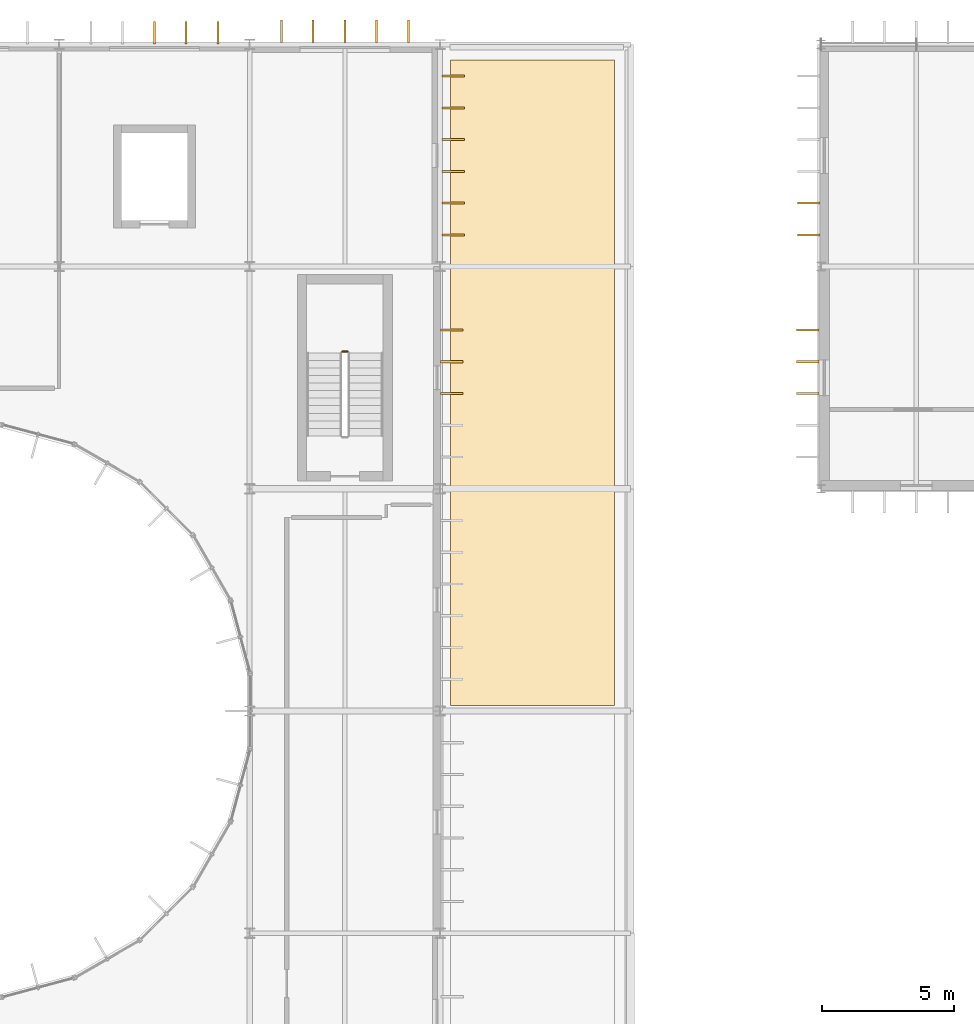
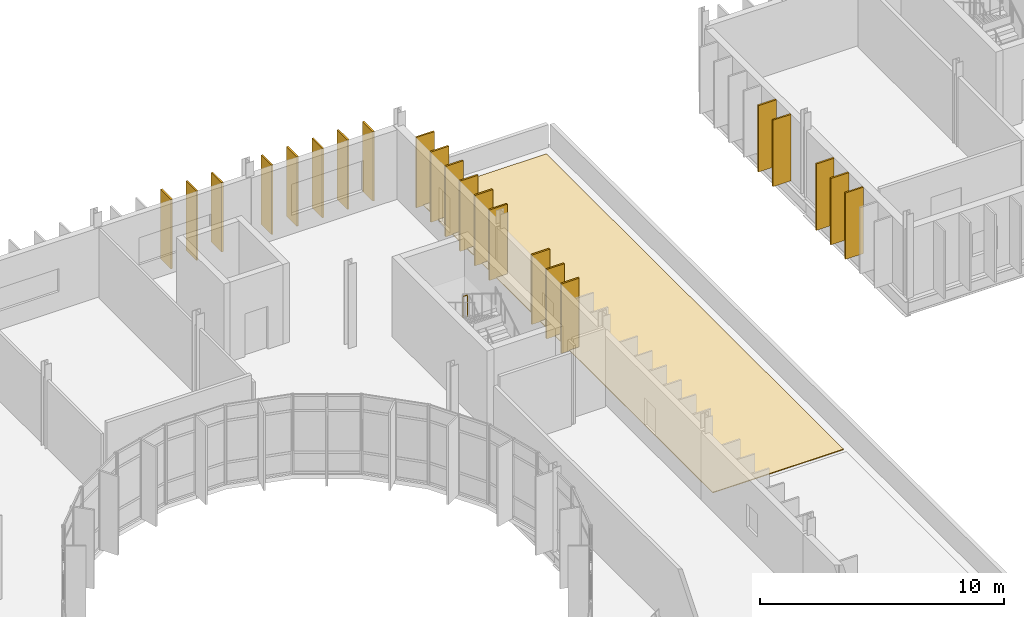
# One storey, part 94 of 99: 22 shading devices, 1 covering, 1 railing.
"""IFC4 building model written with IfcOpenShell, lengths in metres."""

import ifcopenshell
import ifcopenshell.guid

model = None  # the IFC model being written
_history = None  # IfcOwnerHistory: only IFC2X3 demands one
_inside = {}  # id of a spatial element -> (the spatial element, [elements in it])
_under = {}  # id of a project, library or spatial element -> (it, [spatial elements below it])
_declared = {}  # id of a project -> (the project, [libraries it declares])
_typed = {}  # id of a type object -> (the type object, [elements of that type])
_made_of = {}  # id of a material, layer set ... -> (it, [elements and type objects made of it])


def new_model(schema):
    """Start an empty IFC model of exactly this schema.

    Asked for "IFC4X3", IfcOpenShell would pick the latest addendum, in which some entities
    have other attributes; the version numbers below select the first issue.
    IFC2X3 requires an IfcOwnerHistory on every rooted entity: one is made here for all.
    """
    global model, _history
    if schema == "IFC4X3":
        model = ifcopenshell.file(schema_version=(4, 3, 0, 0))
    else:
        model = ifcopenshell.file(schema=schema)
    _inside.clear()
    _under.clear()
    _declared.clear()
    _typed.clear()
    _made_of.clear()
    _history = None
    if model.schema == "IFC2X3":
        org = make("IfcOrganization", Name="unknown")
        user = make(
            "IfcPersonAndOrganization",
            ThePerson=make("IfcPerson", FamilyName="unknown"),
            TheOrganization=org,
        )
        app = make(
            "IfcApplication",
            ApplicationDeveloper=org,
            Version="unknown",
            ApplicationFullName="unknown",
            ApplicationIdentifier="unknown",
        )
        _history = make(
            "IfcOwnerHistory",
            OwningUser=user,
            OwningApplication=app,
            ChangeAction="ADDED",
            CreationDate=0,
        )
    return model


def make(cls, **values):
    """One entity of the class cls with the attributes given. An attribute that is None is left unset."""
    return model.create_entity(
        cls, **{name: value for name, value in values.items() if value is not None}
    )


def rooted(cls, **values):
    """An entity with a GlobalId (a new one), such as an element, a storey or a relation."""
    return make(cls, GlobalId=ifcopenshell.guid.new(), OwnerHistory=_history, **values)


def si_unit(unit_type, name, prefix=None):
    """IfcSIUnit, for example si_unit("LENGTHUNIT", "METRE", prefix="MILLI")."""
    return make("IfcSIUnit", UnitType=unit_type, Prefix=prefix, Name=name)


def assignment(units):
    """IfcUnitAssignment: the units of a project."""
    return None if units is None else make("IfcUnitAssignment", Units=units)


def point(xyz):
    """IfcCartesianPoint."""
    return None if xyz is None else make("IfcCartesianPoint", Coordinates=xyz)


def direction(xyz):
    """IfcDirection."""
    return None if xyz is None else make("IfcDirection", DirectionRatios=xyz)


def frame(location, z_axis=None, x_axis=None):
    """IfcAxis2Placement3D, a coordinate frame: its origin and axes. An axis left out is left unset."""
    return make(
        "IfcAxis2Placement3D",
        Location=point(location),
        Axis=direction(z_axis),
        RefDirection=direction(x_axis),
    )


def frame_2d(location, x_axis=None):
    """IfcAxis2Placement2D, a coordinate frame in the plane: its origin and x axis."""
    return make(
        "IfcAxis2Placement2D", Location=point(location), RefDirection=direction(x_axis)
    )


def origin():
    """The frame at (0, 0, 0) with its axes left unset."""
    return frame((0.0, 0.0, 0.0))


def origin_2d():
    """The frame at (0, 0) in the plane with its x axis left unset."""
    return frame_2d((0.0, 0.0))


def place(relative_to, where):
    """IfcLocalPlacement: puts the frame where relative to a parent placement (None: the world)."""
    return make(
        "IfcLocalPlacement", PlacementRelTo=relative_to, RelativePlacement=where
    )


def context(
    kind, dimensions, precision=None, world=None, true_north=None, identifier=None
):
    """IfcGeometricRepresentationContext, for example the 3D "Model" context."""
    return make(
        "IfcGeometricRepresentationContext",
        ContextIdentifier=identifier,
        ContextType=kind,
        CoordinateSpaceDimension=dimensions,
        Precision=precision,
        WorldCoordinateSystem=world,
        TrueNorth=true_north,
    )


def subcontext(parent, identifier, kind, view, scale=None):
    """IfcGeometricRepresentationSubContext, for example "Body" below "Model"."""
    return make(
        "IfcGeometricRepresentationSubContext",
        ContextIdentifier=identifier,
        ContextType=kind,
        ParentContext=parent,
        TargetScale=scale,
        TargetView=view,
    )


def project(units=None, contexts=None):
    """IfcProject with its units and contexts."""
    return rooted(
        "IfcProject",
        Name="project",
        RepresentationContexts=contexts,
        UnitsInContext=assignment(units),
    )


def spatial(cls, under=None, at=None, **own):
    """A site, building, storey or space (cls), placed at a placement, below another one or the project."""
    s = rooted(cls, ObjectPlacement=at, **own)
    if under is not None:
        _under.setdefault(under.id(), (under, []))[1].append(s)
    return s


def polyline(points):
    """IfcPolyline through the points."""
    return make("IfcPolyline", Points=[point(p) for p in points])


def profile(cls, at=None, kind="AREA", **sizes):
    """A parametric profile (cls). Its sizes go by their IFC names, for example OverallWidth=200.0."""
    return make(cls, ProfileType=kind, Position=at, **sizes)


def rectangle(**sizes):
    """IfcRectangleProfileDef."""
    return profile("IfcRectangleProfileDef", **sizes)


def circle(**sizes):
    """IfcCircleProfileDef."""
    return profile("IfcCircleProfileDef", **sizes)


def outline(outer, holes=None, kind="AREA"):
    """IfcArbitraryClosedProfileDef: a profile drawn as a closed curve; with holes, ...WithVoids."""
    if holes is None:
        return make("IfcArbitraryClosedProfileDef", ProfileType=kind, OuterCurve=outer)
    return make(
        "IfcArbitraryProfileDefWithVoids",
        ProfileType=kind,
        OuterCurve=outer,
        InnerCurves=holes,
    )


def extrude(swept, where, along, depth):
    """IfcExtrudedAreaSolid: the profile swept, set in the frame where, extruded along a direction by depth."""
    return make(
        "IfcExtrudedAreaSolid",
        SweptArea=swept,
        Position=where,
        ExtrudedDirection=direction(along),
        Depth=depth,
    )


def shape(context_of_items, identifier, shape_type, items):
    """IfcShapeRepresentation: the items that make up one representation, for example the "Body"."""
    return make(
        "IfcShapeRepresentation",
        ContextOfItems=context_of_items,
        RepresentationIdentifier=identifier,
        RepresentationType=shape_type,
        Items=items,
    )


def material(Name=None, Category=None):
    """IfcMaterial."""
    return make("IfcMaterial", Name=Name, Category=Category)


def layer(
    of_material, thickness, ventilated=None, Name=None, Category=None, Priority=None
):
    """IfcMaterialLayer: one layer of a wall or slab, of a material (None: an air gap)."""
    return make(
        "IfcMaterialLayer",
        Material=of_material,
        LayerThickness=thickness,
        IsVentilated=ventilated,
        Name=Name,
        Category=Category,
        Priority=Priority,
    )


def layer_set(layers, Name=None):
    """IfcMaterialLayerSet."""
    return make("IfcMaterialLayerSet", MaterialLayers=layers, LayerSetName=Name)


def made_of(thing, what):
    """Note that an element or type object is made of a material, layer set ...; save() writes the relation."""
    if what is not None:
        _made_of.setdefault(what.id(), (what, []))[1].append(thing)
    return thing


def type_object(cls, material=None, **own):
    """A type object (cls), such as IfcWallType, which elements share."""
    return made_of(rooted(cls, **own), material)


def element(
    cls,
    number,
    at=None,
    inside=None,
    cuts=None,
    type_object=None,
    material=None,
    context=None,
    identifier="Body",
    shape_type=None,
    held_by="IfcProductDefinitionShape",
    body=None,
    shapes=None,
    **own,
):
    """One element of the class cls, such as IfcWall. Its Tag is "e" and its number.

    at: its placement. inside: the storey or other place that contains it. cuts: it is an
    opening in that element (IfcRelVoidsElement). A single representation is given by context,
    identifier, shape_type and body (its items); several are given by shapes. held_by: the class
    of the entity that holds the representations. save() writes the other relations.
    """
    e = rooted(cls, Tag="e%d" % number, ObjectPlacement=at, **own)
    if body is not None:
        shapes = [shape(context, identifier, shape_type, body)]
    if shapes is not None:
        e.Representation = make(held_by, Representations=shapes)
    if inside is not None:
        _inside.setdefault(inside.id(), (inside, []))[1].append(e)
    if cuts is not None:
        rooted(
            "IfcRelVoidsElement", RelatingBuildingElement=cuts, RelatedOpeningElement=e
        )
    if type_object is not None:
        _typed.setdefault(type_object.id(), (type_object, []))[1].append(e)
    return made_of(e, material)


def aggregate(whole, parts):
    """IfcRelAggregates: a whole, such as a stair, and the parts it consists of."""
    return rooted("IfcRelAggregates", RelatingObject=whole, RelatedObjects=parts)


def save(model, path):
    """Write the relations noted so far, then the file.

    IfcRelAggregates (storeys below a building ...), IfcRelContainedInSpatialStructure (elements
    in a storey), IfcRelDefinesByType, IfcRelAssociatesMaterial and IfcRelDeclares: one each for
    every whole, place, type object, material and project.
    """
    for whole, parts in _under.values():
        aggregate(whole, parts)
    for where, things in _inside.values():
        rooted(
            "IfcRelContainedInSpatialStructure",
            RelatedElements=things,
            RelatingStructure=where,
        )
    for kind, things in _typed.values():
        rooted("IfcRelDefinesByType", RelatedObjects=things, RelatingType=kind)
    for what, things in _made_of.values():
        rooted("IfcRelAssociatesMaterial", RelatedObjects=things, RelatingMaterial=what)
    for by, libraries in _declared.values():
        rooted("IfcRelDeclares", RelatingContext=by, RelatedDefinitions=libraries)
    model.write(path)


model = new_model("IFC4")

# Units and contexts
model_context = context("Model", 3, precision=1e-05, world=origin(), true_north=direction((0.0, 1.0)))
body_context = subcontext(model_context, "Body", "Model", "MODEL_VIEW")
ifc_project = project(units=[si_unit("LENGTHUNIT", "METRE"), si_unit("AREAUNIT", "SQUARE_METRE"), si_unit("VOLUMEUNIT", "CUBIC_METRE"), si_unit("PLANEANGLEUNIT", "RADIAN"), si_unit("MASSUNIT", "GRAM", prefix="KILO")], contexts=[model_context])

# Site, building, storey
site_placement = place(None, origin())
site = spatial("IfcSite", under=ifc_project, at=site_placement, CompositionType="ELEMENT")
building_placement = place(site_placement, origin())
building = spatial("IfcBuilding", under=site, at=building_placement, Name="Qelthora Terrace Specialist Clinic", CompositionType="ELEMENT")
storey_placement = place(building_placement, frame((0.0, 0.0, 9.0)))
storey = spatial("IfcBuildingStorey", under=building, at=storey_placement, Name="L02", CompositionType="ELEMENT", Elevation=9.0)

# Covering
ifc_material_1 = material(Name="Standing-seam titanium-zinc", Category="metals")
ifc_layer = layer(ifc_material_1, 0.0400390625)
ifc_layer_set = layer_set([ifc_layer], Name="Standing-seam titanium-zinc")
covering_type = type_object("IfcCoveringType", Name="COV-ROOF-ZINC", PredefinedType="ROOFING", material=ifc_layer_set)
covering_placement = place(storey_placement, origin())
element("IfcCovering", 1, at=covering_placement, inside=storey, type_object=covering_type, Name="Standing-seam zinc roof covering RCOV-L02-08", PredefinedType="ROOFING", context=body_context, shape_type="SweptSolid", body=[
    extrude(outline(polyline([(43.60009765625, 84.199951171875), (49.800048828125, 84.199951171875), (49.800048828125, 108.60009765625), (43.60009765625, 108.60009765625), (43.60009765625, 84.199951171875)])), origin(), (0.0, 0.0, 1.0), 0.0400390625),
])

# Railing
ifc_material_2 = material(Name="Steel S355", Category="steel")
railing_type = type_object("IfcRailingType", Name="RAL-GD-1100-S355", PredefinedType="GUARDRAIL", material=ifc_material_2)
railing_placement = place(storey_placement, frame((39.699951171875, 97.5849609375, 2.10009765625)))
element("IfcRailing", 2, at=railing_placement, inside=storey, type_object=railing_type, Name="L02 ST-02 stair guard 2", PredefinedType="GUARDRAIL", context=body_context, shape_type="SweptSolid", body=[
    extrude(circle(Radius=0.02392578125, at=origin_2d()), frame((0.0, 0.0, 1.076171875), z_axis=(-1.0, 0.0, 0.0), x_axis=(0.0, -1.0, 0.0)), (0.0, 0.0, 1.0), 0.199951171875),
    extrude(circle(Radius=0.02099609375, at=origin_2d()), origin(), (0.0, 0.0, 1.0), 1.052001953125),
    extrude(circle(Radius=0.02099609375, at=origin_2d()), frame((-0.199951171875, 0.0, 0.0)), (0.0, 0.0, 1.0), 1.052001953125),
])

# Shading devices
ifc_material_3 = material(Name="Glulam timber GL28h", Category="wood")
shading_device_type = type_object("IfcShadingDeviceType", Name="SHD-FIN-850", PredefinedType="USERDEFINED", material=ifc_material_3)
for number, where, z_axis, x_axis, name in (
    (3, (32.39990234375, 109.635009765625, 0.0), (0.0, 0.0, 1.0), (0.0, 1.0, 0.0), "Exterior solar shading fin FIN-1134"),
    (4, (33.60009765625, 109.635009765625, 0.0), (0.0, 0.0, 1.0), (0.0, 1.0, 0.0), "Exterior solar shading fin FIN-1135"),
    (5, (34.800048828125, 109.635009765625, 0.0), (0.0, 0.0, 1.0), (0.0, 1.0, 0.0), "Exterior solar shading fin FIN-1136"),
    (6, (37.199951171875, 109.695068359375, 0.0), (0.0, 0.0, 1.0), (0.0, 1.0, 0.0), "Exterior solar shading fin FIN-1137"),
    (7, (38.39990234375, 109.695068359375, 0.0), (0.0, 0.0, 1.0), (0.0, 1.0, 0.0), "Exterior solar shading fin FIN-1138"),
    (8, (39.60009765625, 109.695068359375, 0.0), (0.0, 0.0, 1.0), (0.0, 1.0, 0.0), "Exterior solar shading fin FIN-1139"),
    (9, (40.800048828125, 109.695068359375, 0.0), (0.0, 0.0, 1.0), (0.0, 1.0, 0.0), "Exterior solar shading fin FIN-1140"),
    (10, (42.0, 109.695068359375, 0.0), (0.0, 0.0, 1.0), (0.0, 1.0, 0.0), "Exterior solar shading fin FIN-1141"),
    (11, (43.635009765625, 96.0, 0.0), (0.0, 0.0, 1.0), (1.0, 0.0, 0.0), "Exterior solar shading fin FIN-1161"),
    (12, (43.635009765625, 97.199951171875, 0.0), (0.0, 0.0, 1.0), (1.0, 0.0, 0.0), "Exterior solar shading fin FIN-1162"),
    (13, (43.635009765625, 98.39990234375, 0.0), (0.0, 0.0, 1.0), (1.0, 0.0, 0.0), "Exterior solar shading fin FIN-1163"),
):
    element("IfcShadingDevice", number, at=place(storey_placement, frame(where, z_axis=z_axis, x_axis=x_axis)), inside=storey, type_object=shading_device_type, Name=name, ObjectType="FIN", PredefinedType="USERDEFINED", context=body_context, shape_type="SweptSolid", body=[
        extrude(rectangle(XDim=0.85009765625, YDim=0.080078125, at=origin_2d()), origin(), (0.0, 0.0, 1.0), 3.48193359375),
    ])
for number, where, z_axis, x_axis, name in (
    (14, (43.695068359375, 102.0, 0.0), (0.0, 0.0, 1.0), (1.0, 0.0, 0.0), "Exterior solar shading fin FIN-1164"),
    (15, (43.695068359375, 103.199951171875, 0.0), (0.0, 0.0, 1.0), (1.0, 0.0, 0.0), "Exterior solar shading fin FIN-1165"),
    (16, (43.695068359375, 104.39990234375, 0.0), (0.0, 0.0, 1.0), (1.0, 0.0, 0.0), "Exterior solar shading fin FIN-1166"),
    (17, (43.695068359375, 105.60009765625, 0.0), (0.0, 0.0, 1.0), (1.0, 0.0, 0.0), "Exterior solar shading fin FIN-1167"),
    (18, (43.695068359375, 106.800048828125, 0.0), (0.0, 0.0, 1.0), (1.0, 0.0, 0.0), "Exterior solar shading fin FIN-1168"),
    (19, (43.695068359375, 108.0, 0.0), (0.0, 0.0, 1.0), (1.0, 0.0, 0.0), "Exterior solar shading fin FIN-1169"),
):
    element("IfcShadingDevice", number, at=place(storey_placement, frame(where, z_axis=z_axis, x_axis=x_axis)), inside=storey, type_object=shading_device_type, Name=name, ObjectType="FIN", PredefinedType="USERDEFINED", context=body_context, shape_type="SweptSolid", body=[
        extrude(rectangle(XDim=0.85009765625, YDim=0.080078125, at=origin_2d()), origin(), (0.0, 0.0, 1.0), 3.529052734375),
    ])
for number, where, z_axis, x_axis, name in (
    (20, (57.10498046875, 96.0, 0.0), (0.0, 0.0, 1.0), (-1.0, 0.0, 0.0), "Exterior solar shading fin FIN-1216"),
    (21, (57.10498046875, 97.199951171875, 0.0), (0.0, 0.0, 1.0), (-1.0, 0.0, 0.0), "Exterior solar shading fin FIN-1217"),
    (22, (57.10498046875, 98.39990234375, 0.0), (0.0, 0.0, 1.0), (-1.0, 0.0, 0.0), "Exterior solar shading fin FIN-1218"),
    (23, (57.135009765625, 102.0, 0.0), (0.0, 0.0, 1.0), (-1.0, 0.0, 0.0), "Exterior solar shading fin FIN-1219"),
    (24, (57.135009765625, 103.199951171875, 0.0), (0.0, 0.0, 1.0), (-1.0, 0.0, 0.0), "Exterior solar shading fin FIN-1220"),
):
    element("IfcShadingDevice", number, at=place(storey_placement, frame(where, z_axis=z_axis, x_axis=x_axis)), inside=storey, type_object=shading_device_type, Name=name, ObjectType="FIN", PredefinedType="USERDEFINED", context=body_context, shape_type="SweptSolid", body=[
        extrude(rectangle(XDim=0.85009765625, YDim=0.080078125, at=origin_2d()), origin(), (0.0, 0.0, 1.0), 3.324951171875),
    ])

save(model, "model.ifc")
